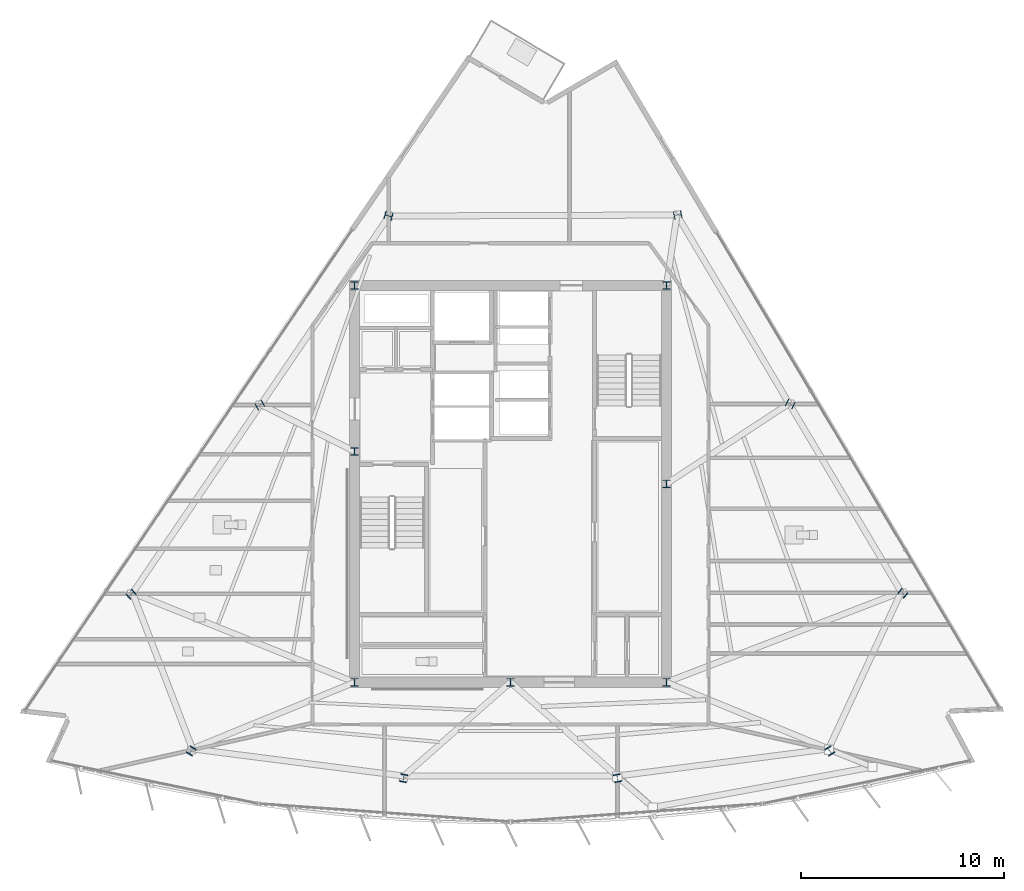
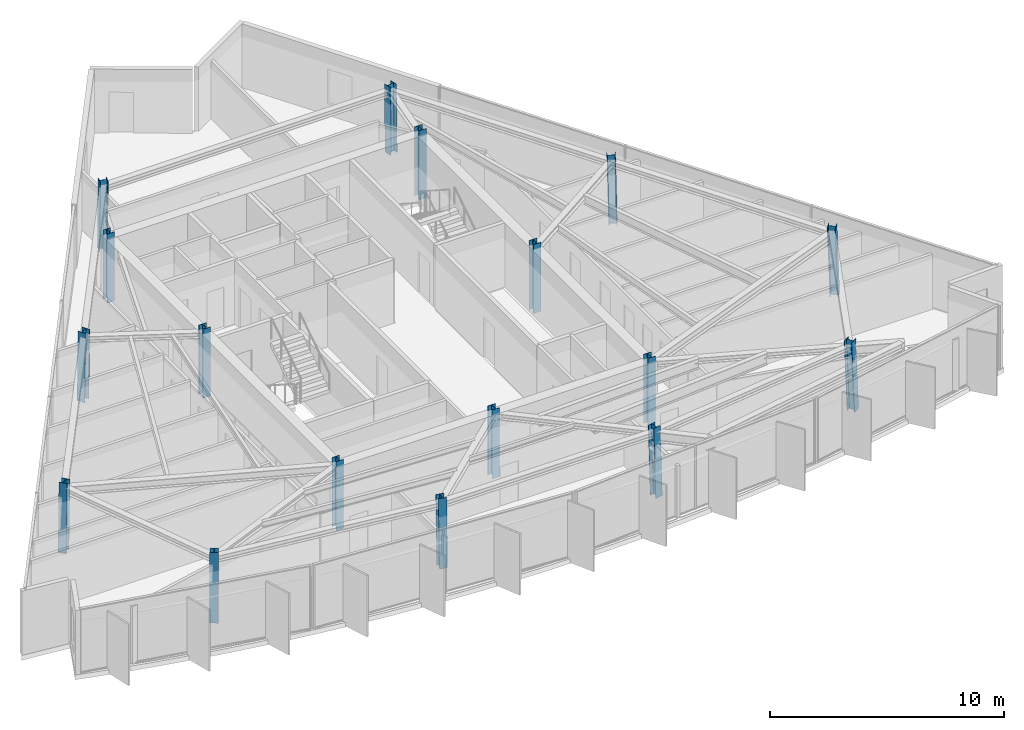
# One storey, part 1 of 13: 17 columns.
"""IFC4 building model written with IfcOpenShell, lengths in metres."""

from ifc_helpers import new_model, si_unit, direction, frame, origin, origin_2d, place, context, subcontext, project, spatial, i_section, extrude, material, material_profile, profile_set, type_object, element, save


model = new_model("IFC4")

# Units and contexts
model_context = context("Model", 3, precision=1e-05, world=origin(), true_north=direction((0.0, 1.0)))
body_context = subcontext(model_context, "Body", "Model", "MODEL_VIEW")
ifc_project = project(units=[si_unit("LENGTHUNIT", "METRE"), si_unit("AREAUNIT", "SQUARE_METRE"), si_unit("VOLUMEUNIT", "CUBIC_METRE"), si_unit("PLANEANGLEUNIT", "RADIAN"), si_unit("MASSUNIT", "GRAM", prefix="KILO")], contexts=[model_context])

# Site, building, storey
site_placement = place(None, origin())
site = spatial("IfcSite", under=ifc_project, at=site_placement, CompositionType="ELEMENT")
building_placement = place(site_placement, origin())
building = spatial("IfcBuilding", under=site, at=building_placement, Name="Savorim Split Tower", CompositionType="ELEMENT")
storey_placement = place(building_placement, frame((0.0, 0.0, 258.0)))
storey = spatial("IfcBuildingStorey", under=building, at=storey_placement, Name="L68", CompositionType="ELEMENT", Elevation=258.0)

# Columns
ifc_material = material(Name="Steel S355", Category="steel")
ifc_material_profile = material_profile(ifc_material, i_section(OverallWidth=0.3740234375, OverallDepth=0.3720703125, WebThickness=0.01220703125, FlangeThickness=0.02001953125, FilletRadius=0.014892578125, at=origin_2d()), Name="HD 360x196")
ifc_profile_set = profile_set([ifc_material_profile], Name="Steel S355")
column_type = type_object("IfcColumnType", Name="COL-HD-196", PredefinedType="COLUMN", material=ifc_profile_set)
for number, where, z_axis, x_axis, name in (
    (1, (-7.699951171875, -9.39990234375, 0.0), (0.0, 0.0, 1.0), (1.0, 0.0, 0.0), "L68 Core Structural Column TC-C1"),
    (2, (7.699951171875, -9.39990234375, 0.0), (0.0, 0.0, 1.0), (1.0, 0.0, 0.0), "L68 Core Structural Column TC-C2"),
    (3, (7.699951171875, 10.199951171875, 0.0), (0.0, 0.0, 1.0), (1.0, 0.0, 0.0), "L68 Core Structural Column TC-C3"),
    (4, (-7.699951171875, 10.199951171875, 0.0), (0.0, 0.0, 1.0), (1.0, 0.0, 0.0), "L68 Core Structural Column TC-C4"),
    (5, (0.0, -9.39990234375, 0.0), (0.0, 0.0, 1.0), (1.0, 0.0, 0.0), "L68 Core Structural Column TC-C5"),
    (6, (7.699951171875, 0.39990234375, 0.0), (0.0, 0.0, 1.0), (1.0, 0.0, 0.0), "L68 Core Structural Column TC-C6"),
    (7, (-7.699951171875, 2.0, 0.0), (0.0, 0.0, 1.0), (1.0, 0.0, 0.0), "L68 Core Structural Column TC-C7"),
):
    element("IfcColumn", number, at=place(storey_placement, frame(where, z_axis=z_axis, x_axis=x_axis)), inside=storey, type_object=column_type, Name=name, PredefinedType="COLUMN", context=body_context, shape_type="SweptSolid", body=[
        extrude(i_section(OverallWidth=0.3740234375, OverallDepth=0.3720703125, WebThickness=0.01220703125, FlangeThickness=0.02001953125, FilletRadius=0.014892578125, at=origin_2d()), origin(), (0.0, 0.0, 1.0), 3.60009765625),
    ])
column_1_placement = place(storey_placement, frame((-15.779541015625, -12.80810546875, 0.005615234375), z_axis=(0.020596292833, 0.033511459955, 0.999226087917), x_axis=(-0.851954850327, 0.523615252838, 0.0)))
element("IfcColumn", 8, at=column_1_placement, inside=storey, type_object=column_type, Name="L68 Tapered Perimeter Column PC-S1", PredefinedType="COLUMN", context=body_context, shape_type="SweptSolid", body=[
    extrude(i_section(OverallWidth=0.3740234375, OverallDepth=0.3720703125, WebThickness=0.01220703125, FlangeThickness=0.02001953125, FilletRadius=0.014892578125, at=origin_2d()), origin(), (0.0, 0.0, 1.0), 3.591552734375),
])
for number, where, z_axis, x_axis, name in (
    (9, (-5.28857421875, -14.155029296875, 0.005615234375), (0.006934288159, 0.035283289748, 0.999353293441), (-0.981229659911, 0.192842823335, 0.0), "L68 Tapered Perimeter Column PC-S2"),
    (10, (5.28857421875, -14.155029296875, 0.005615234375), (-0.006934288159, 0.035283289748, 0.999353293441), (-0.981229659911, -0.192842823335, 0.0), "L68 Tapered Perimeter Column PC-S3"),
):
    element("IfcColumn", number, at=place(storey_placement, frame(where, z_axis=z_axis, x_axis=x_axis)), inside=storey, type_object=column_type, Name=name, PredefinedType="COLUMN", context=body_context, shape_type="SweptSolid", body=[
        extrude(i_section(OverallWidth=0.3740234375, OverallDepth=0.3720703125, WebThickness=0.01220703125, FlangeThickness=0.02001953125, FilletRadius=0.014892578125, at=origin_2d()), origin(), (0.0, 0.0, 1.0), 3.59130859375),
    ])
column_2_placement = place(storey_placement, frame((15.779541015625, -12.80810546875, 0.005615234375), z_axis=(-0.020596292833, 0.033511459955, 0.999226087917), x_axis=(-0.851954850327, -0.523615252838, 0.0)))
element("IfcColumn", 11, at=column_2_placement, inside=storey, type_object=column_type, Name="L68 Tapered Perimeter Column PC-S4", PredefinedType="COLUMN", context=body_context, shape_type="SweptSolid", body=[
    extrude(i_section(OverallWidth=0.3740234375, OverallDepth=0.3720703125, WebThickness=0.01220703125, FlangeThickness=0.02001953125, FilletRadius=0.014892578125, at=origin_2d()), origin(), (0.0, 0.0, 1.0), 3.591552734375),
])
column_3_placement = place(storey_placement, frame((19.38525390625, -5.018310546875, 0.005615234375), z_axis=(-0.026107436898, 0.021620221181, 0.999425318758), x_axis=(-0.637813971185, -0.770190455771, 0.0)))
element("IfcColumn", 12, at=column_3_placement, inside=storey, type_object=column_type, Name="L68 Tapered Perimeter Column PC-E1", PredefinedType="COLUMN", context=body_context, shape_type="SweptSolid", body=[
    extrude(i_section(OverallWidth=0.3740234375, OverallDepth=0.3720703125, WebThickness=0.01220703125, FlangeThickness=0.02001953125, FilletRadius=0.014892578125, at=origin_2d()), origin(), (0.0, 0.0, 1.0), 3.5908203125),
])
column_4_placement = place(storey_placement, frame((13.8251953125, 4.332275390625, 0.005615234375), z_axis=(-0.018907326549, 0.00952167524, 0.999775900241), x_axis=(-0.449781931574, -0.893138406984, 0.0)))
element("IfcColumn", 13, at=column_4_placement, inside=storey, type_object=column_type, Name="L68 Tapered Perimeter Column PC-E2", PredefinedType="COLUMN", context=body_context, shape_type="SweptSolid", body=[
    extrude(i_section(OverallWidth=0.3740234375, OverallDepth=0.3720703125, WebThickness=0.01220703125, FlangeThickness=0.02001953125, FilletRadius=0.014892578125, at=origin_2d()), origin(), (0.0, 0.0, 1.0), 3.589599609375),
])
for number, where, z_axis, x_axis, name in (
    (14, (8.265380859375, 13.6826171875, 0.005615234375), (-0.011699842352, -0.002516826552, 0.999928387072), (0.210305364179, -0.977635746993, 0.0), "L68 Tapered Perimeter Column PC-E3"),
    (15, (-6.027099609375, 13.6337890625, 0.005615234375), (0.00877514453, -0.002516901919, 0.999958330153), (0.275705143097, 0.961242255662, 0.0), "L68 Tapered Perimeter Column PC-W1"),
):
    element("IfcColumn", number, at=place(storey_placement, frame(where, z_axis=z_axis, x_axis=x_axis)), inside=storey, type_object=column_type, Name=name, PredefinedType="COLUMN", context=body_context, shape_type="SweptSolid", body=[
        extrude(i_section(OverallWidth=0.3740234375, OverallDepth=0.3720703125, WebThickness=0.01220703125, FlangeThickness=0.02001953125, FilletRadius=0.014892578125, at=origin_2d()), origin(), (0.0, 0.0, 1.0), 3.589111328125),
    ])
column_5_placement = place(storey_placement, frame((-12.387939453125, 4.283447265625, 0.005615234375), z_axis=(0.017003572908, 0.009522000828, 0.999810086971), x_axis=(-0.488603368932, 0.87250601595, 0.0)))
element("IfcColumn", 16, at=column_5_placement, inside=storey, type_object=column_type, Name="L68 Tapered Perimeter Column PC-W2", PredefinedType="COLUMN", context=body_context, shape_type="SweptSolid", body=[
    extrude(i_section(OverallWidth=0.3740234375, OverallDepth=0.3720703125, WebThickness=0.01220703125, FlangeThickness=0.02001953125, FilletRadius=0.014892578125, at=origin_2d()), origin(), (0.0, 0.0, 1.0), 3.589599609375),
])
column_6_placement = place(storey_placement, frame((-18.7490234375, -5.067138671875, 0.005615234375), z_axis=(0.025292109804, 0.02162067451, 0.999446274502), x_axis=(-0.649781149204, 0.760121344352, 0.0)))
element("IfcColumn", 17, at=column_6_placement, inside=storey, type_object=column_type, Name="L68 Tapered Perimeter Column PC-W3", PredefinedType="COLUMN", context=body_context, shape_type="SweptSolid", body=[
    extrude(i_section(OverallWidth=0.3740234375, OverallDepth=0.3720703125, WebThickness=0.01220703125, FlangeThickness=0.02001953125, FilletRadius=0.014892578125, at=origin_2d()), origin(), (0.0, 0.0, 1.0), 3.5908203125),
])

save(model, "model.ifc")
